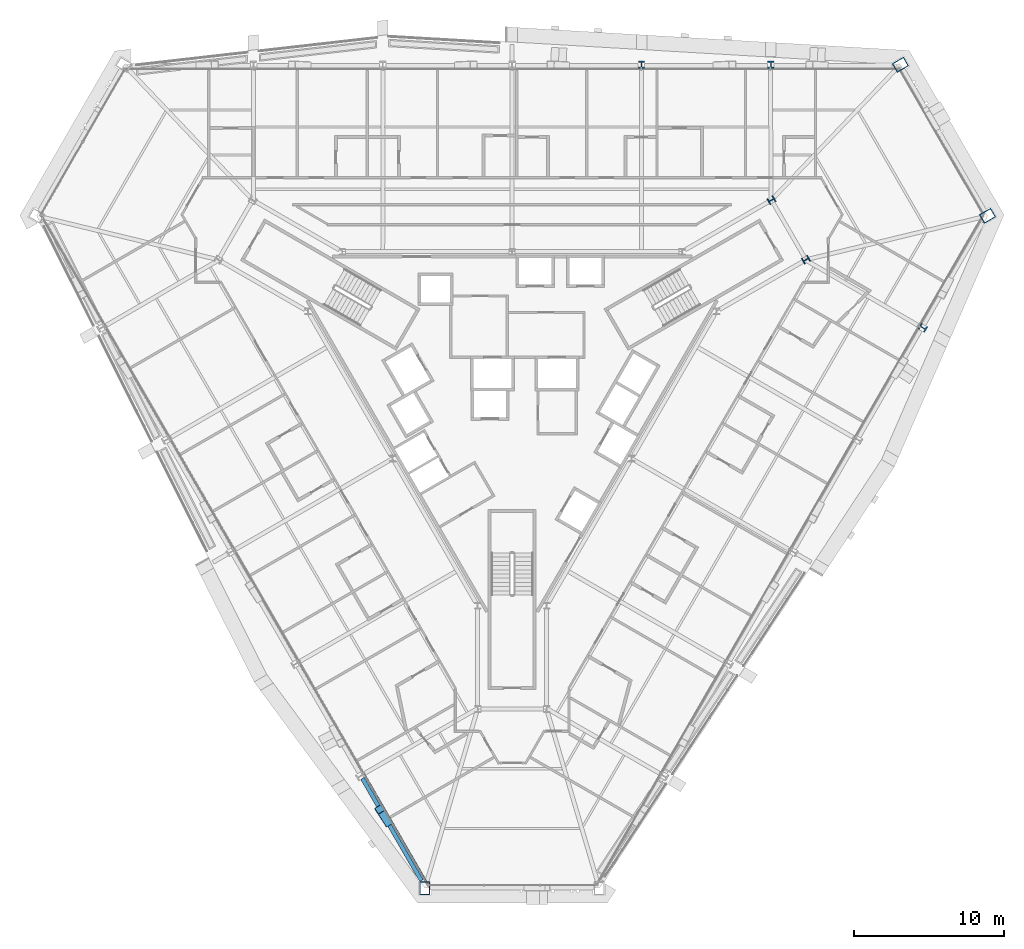
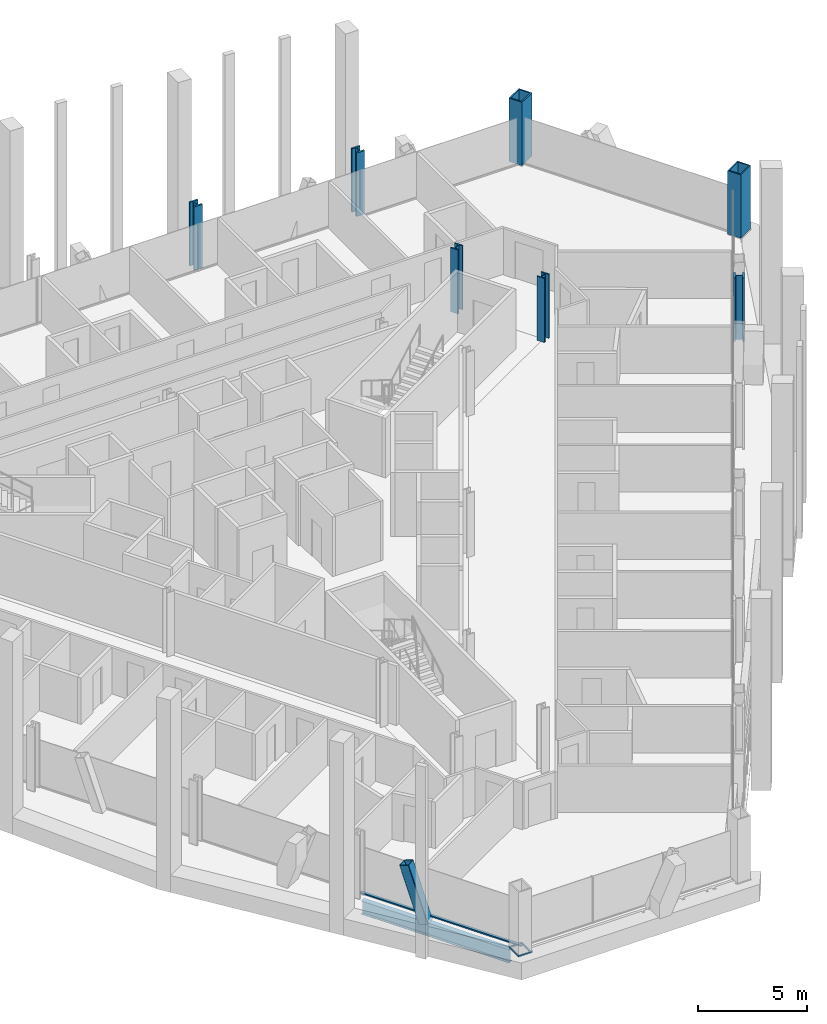
# One storey, part 2 of 19: 7 columns, 3 members, 1 beam, 1 element without a shape of its own.
"""IFC4 building model written with IfcOpenShell, lengths in metres."""

from ifc_helpers import new_model, si_unit, direction, frame, origin, origin_2d, place, context, subcontext, project, spatial, rectangle, hollow_rectangle, i_section, extrude, material, material_profile, profile_set, type_object, element, aggregate, save


model = new_model("IFC4")

# Units and contexts
model_context = context("Model", 3, precision=1e-05, world=origin(), true_north=direction((0.0, 1.0)))
body_context = subcontext(model_context, "Body", "Model", "MODEL_VIEW")
ifc_project = project(units=[si_unit("LENGTHUNIT", "METRE"), si_unit("AREAUNIT", "SQUARE_METRE"), si_unit("VOLUMEUNIT", "CUBIC_METRE"), si_unit("PLANEANGLEUNIT", "RADIAN"), si_unit("MASSUNIT", "GRAM", prefix="KILO")], contexts=[model_context])

# Site, building, storey
site_placement = place(None, origin())
site = spatial("IfcSite", under=ifc_project, at=site_placement, CompositionType="ELEMENT")
building_placement = place(site_placement, origin())
building = spatial("IfcBuilding", under=site, at=building_placement, Name="Verrane Prism Tower", CompositionType="ELEMENT")
storey_placement = place(building_placement, frame((0.0, 0.0, 76.39990234375)))
storey = spatial("IfcBuildingStorey", under=building, at=storey_placement, Name="L17", CompositionType="ELEMENT", Elevation=76.39990234375)

# Columns
ifc_material_1 = material(Name="Steel A992", Category="steel")
ifc_material_profile_1 = material_profile(ifc_material_1, i_section(OverallWidth=0.419189453125, OverallDepth=0.45458984375, WebThickness=0.042236328125, FlangeThickness=0.067626953125, FilletRadius=0.01513671875, at=origin_2d()), Name="W14x370")
ifc_profile_set_1 = profile_set([ifc_material_profile_1], Name="Steel A992")
column_type_1 = type_object("IfcColumnType", Name="Core corner column W14x370", PredefinedType="COLUMN", material=ifc_profile_set_1)
for number, where, z_axis, x_axis, name in (
    (1, (19.60009765625, 8.659912109375, 0.0), (0.0, 0.0, 1.0), (0.5, -0.866025403784, 0.0), "Core corner column CK-NEm L17"),
    (2, (17.300048828125, 12.639892578125, 0.0), (0.0, 0.0, 1.0), (0.5, -0.866025403784, 0.0), "Core corner column CK-NEp L17"),
):
    element("IfcColumn", number, at=place(storey_placement, frame(where, z_axis=z_axis, x_axis=x_axis)), inside=storey, type_object=column_type_1, Name=name, PredefinedType="COLUMN", context=body_context, shape_type="SweptSolid", body=[
        extrude(i_section(OverallWidth=0.419189453125, OverallDepth=0.45458984375, WebThickness=0.042236328125, FlangeThickness=0.067626953125, FilletRadius=0.01513671875, at=origin_2d()), origin(), (0.0, 0.0, 1.0), 3.60009765625),
    ])
ifc_material_2 = material(Name="Steel A572 Grade 50", Category="steel")
ifc_material_profile_2 = material_profile(ifc_material_2, hollow_rectangle(XDim=0.699951171875, YDim=0.89990234375, WallThickness=0.06494140625, at=origin_2d()), Name="BOX 900x700x65")
ifc_profile_set_2 = profile_set([ifc_material_profile_2], Name="Steel A572 Grade 50")
column_type_2 = type_object("IfcColumnType", Name="Megacolumn BOX 900x700x65", PredefinedType="COLUMN", material=ifc_profile_set_2)
for number, where, z_axis, x_axis, name in (
    (3, (25.89990234375, 21.669921875, 0.0400390625), (0.0, 0.0, 1.0), (0.5, -0.866025403784, 0.0), "Megacolumn MC-NE.b L17"),
    (4, (31.7099609375, 11.590087890625, 0.0400390625), (0.0, 0.0, 1.0), (0.5, -0.866025403784, 0.0), "Megacolumn MC-NE.a L17"),
):
    element("IfcColumn", number, at=place(storey_placement, frame(where, z_axis=z_axis, x_axis=x_axis)), inside=storey, type_object=column_type_2, Name=name, PredefinedType="COLUMN", context=body_context, shape_type="SweptSolid", body=[
        extrude(hollow_rectangle(XDim=0.699951171875, YDim=0.89990234375, WallThickness=0.06494140625, at=origin_2d()), origin(), (0.0, 0.0, 1.0), 3.56005859375),
    ])
ifc_material_3 = material(Name="Steel A992", Category="steel")
ifc_material_profile_3 = material_profile(ifc_material_3, i_section(OverallWidth=0.431884765625, OverallDepth=0.497802734375, WebThickness=0.0556640625, FlangeThickness=0.0888671875, FilletRadius=0.01513671875, at=origin_2d()), Name="W14x500")
ifc_profile_set_3 = profile_set([ifc_material_profile_3], Name="Steel A992")
column_type_3 = type_object("IfcColumnType", Name="Perimeter column W14x500", PredefinedType="COLUMN", material=ifc_profile_set_3)
for number, where, z_axis, x_axis, name in (
    (5, (17.260009765625, 21.669921875, 0.025146484375), (0.0, 0.0, 1.0), (1.0, 0.0, 0.0), "Perimeter column PC-N1 L17"),
    (6, (8.6298828125, 21.669921875, 0.025146484375), (0.0, 0.0, 1.0), (1.0, 0.0, 0.0), "Perimeter column PC-N2 L17"),
    (7, (27.39990234375, 4.1201171875, 0.025146484375), (0.0, 0.0, 1.0), (-0.5, -0.866025403784, 0.0), "Perimeter column PC-SE5 L17"),
):
    element("IfcColumn", number, at=place(storey_placement, frame(where, z_axis=z_axis, x_axis=x_axis)), inside=storey, type_object=column_type_3, Name=name, PredefinedType="COLUMN", context=body_context, shape_type="SweptSolid", body=[
        extrude(i_section(OverallWidth=0.431884765625, OverallDepth=0.497802734375, WebThickness=0.0556640625, FlangeThickness=0.0888671875, FilletRadius=0.01513671875, at=origin_2d()), origin(), (0.0, 0.0, 1.0), 3.574951171875),
    ])

# Members
ifc_material_4 = material(Name="Steel A1085 Grade A", Category="steel")
ifc_material_profile_4 = material_profile(ifc_material_4, hollow_rectangle(XDim=0.508056640625, YDim=0.508056640625, WallThickness=0.025390625, InnerFilletRadius=0.0126953125, OuterFilletRadius=0.0380859375, at=origin_2d()), Name="HSS20x20x1")
ifc_profile_set_4 = profile_set([ifc_material_profile_4], Name="Steel A1085 Grade A")
member_type_1 = type_object("IfcMemberType", Name="Facade brace HSS20x20x1", PredefinedType="BRACE", material=ifc_profile_set_4)
member_1_placement = place(storey_placement, frame((-8.30078125, -28.859619140625, -0.242431640625), z_axis=(-0.172717600409, 0.267654579876, 0.947908042154), x_axis=(-0.840243407143, -0.542209384604, 0.0)))
element("IfcMember", 8, at=member_1_placement, inside=storey, type_object=member_type_1, Name="Facade brace SW5 L17", PredefinedType="BRACE", context=body_context, shape_type="SweptSolid", body=[
    extrude(hollow_rectangle(XDim=0.508056640625, YDim=0.508056640625, WallThickness=0.025390625, InnerFilletRadius=0.0126953125, OuterFilletRadius=0.0380859375, at=origin_2d()), origin(), (0.0, 0.0, 1.0), 3.17333984375),
])
ifc_material_5 = material(Name="Steel A572 Grade 50", Category="steel")
ifc_material_profile_5 = material_profile(ifc_material_5, hollow_rectangle(XDim=0.699951171875, YDim=0.89990234375, WallThickness=0.06494140625, at=origin_2d()), Name="BOX 900x700x65")
ifc_profile_set_5 = profile_set([ifc_material_profile_5], Name="Steel A572 Grade 50")
member_type_2 = type_object("IfcMemberType", Name="Kink node BOX 900x700x65", PredefinedType="COLLAR", material=ifc_profile_set_5)
member_2_placement = place(storey_placement, frame((-5.819091796875, -33.25830078125, -0.039794921875), z_axis=(0.0, 0.0, 1.0), x_axis=(-1.0, 0.0, 0.0)))
element("IfcMember", 9, at=member_2_placement, inside=storey, type_object=member_type_2, Name="Kink node MC3 L17", PredefinedType="COLLAR", context=body_context, shape_type="SweptSolid", body=[
    extrude(hollow_rectangle(XDim=0.699951171875, YDim=0.89990234375, WallThickness=0.06494140625, at=origin_2d()), origin(), (0.0, 0.0, 1.0), 0.079833984375),
])

# Beam
ifc_material_6 = material(Name="Steel A992", Category="steel")
ifc_material_profile_6 = material_profile(ifc_material_6, i_section(OverallWidth=0.2666015625, OverallDepth=0.7568359375, WebThickness=0.013916015625, FlangeThickness=0.019287109375, FilletRadius=0.0166015625, at=origin_2d()), Name="W30x108")
ifc_profile_set_6 = profile_set([ifc_material_profile_6], Name="Steel A992")
beam_type = type_object("IfcBeamType", Name="Spandrel beam W30x108", PredefinedType="SPANDREL", material=ifc_profile_set_6)
beam_placement = place(storey_placement, frame((-9.98828125, -25.934814453125, -0.538330078125), z_axis=(0.499751960976, -0.866168561829, 0.0), x_axis=(0.866168561829, 0.499751960976, 0.0)))
element("IfcBeam", 10, at=beam_placement, inside=storey, type_object=beam_type, Name="Spandrel beam L17", PredefinedType="SPANDREL", context=body_context, shape_type="SweptSolid", body=[
    extrude(i_section(OverallWidth=0.2666015625, OverallDepth=0.7568359375, WebThickness=0.013916015625, FlangeThickness=0.019287109375, FilletRadius=0.0166015625, at=origin_2d()), origin(), (0.0, 0.0, 1.0), 7.87890625),
])

# Curtain wall, member
ifc_material_7 = material(Name="Aluminium framed insulated glazing", Category="aluminium")
curtain_wall_type = type_object("IfcCurtainWallType", Name="Curtain wall CW-A 8400 module", PredefinedType="NOTDEFINED", material=ifc_material_7)
curtain_wall_placement = place(storey_placement, origin())
curtain_wall = element("IfcCurtainWall", 11, at=curtain_wall_placement, inside=storey, type_object=curtain_wall_type, Name="Glazed curtain wall south-west face L17", PredefinedType="NOTDEFINED")
ifc_material_8 = material(Name="Aluminium alloy 6063-T6", Category="aluminium")
ifc_material_profile_7 = material_profile(ifc_material_8, rectangle(XDim=0.14990234375, YDim=0.070068359375, at=origin_2d()), Name="Transom 70x150 aluminium")
ifc_profile_set_7 = profile_set([ifc_material_profile_7], Name="Aluminium alloy 6063-T6")
member_type_3 = type_object("IfcMemberType", Name="Transom 70x150 aluminium", PredefinedType="USERDEFINED", material=ifc_profile_set_7)
member_3_placement = place(storey_placement, frame((-9.900146484375, -25.634521484375, 0.03515625), z_axis=(0.499998569178, -0.866026229868, 0.0), x_axis=(0.866026229868, 0.499998569178, 0.0)))
member_3 = element("IfcMember", 12, at=member_3_placement, type_object=member_type_3, Name="CW17.4 transom 6", ObjectType="TRANSOM", PredefinedType="USERDEFINED", context=body_context, shape_type="SweptSolid", body=[
    extrude(rectangle(XDim=0.14990234375, YDim=0.070068359375, at=origin_2d()), origin(), (0.0, 0.0, 1.0), 8.572265625),
])
aggregate(curtain_wall, [member_3])

save(model, "model.ifc")
